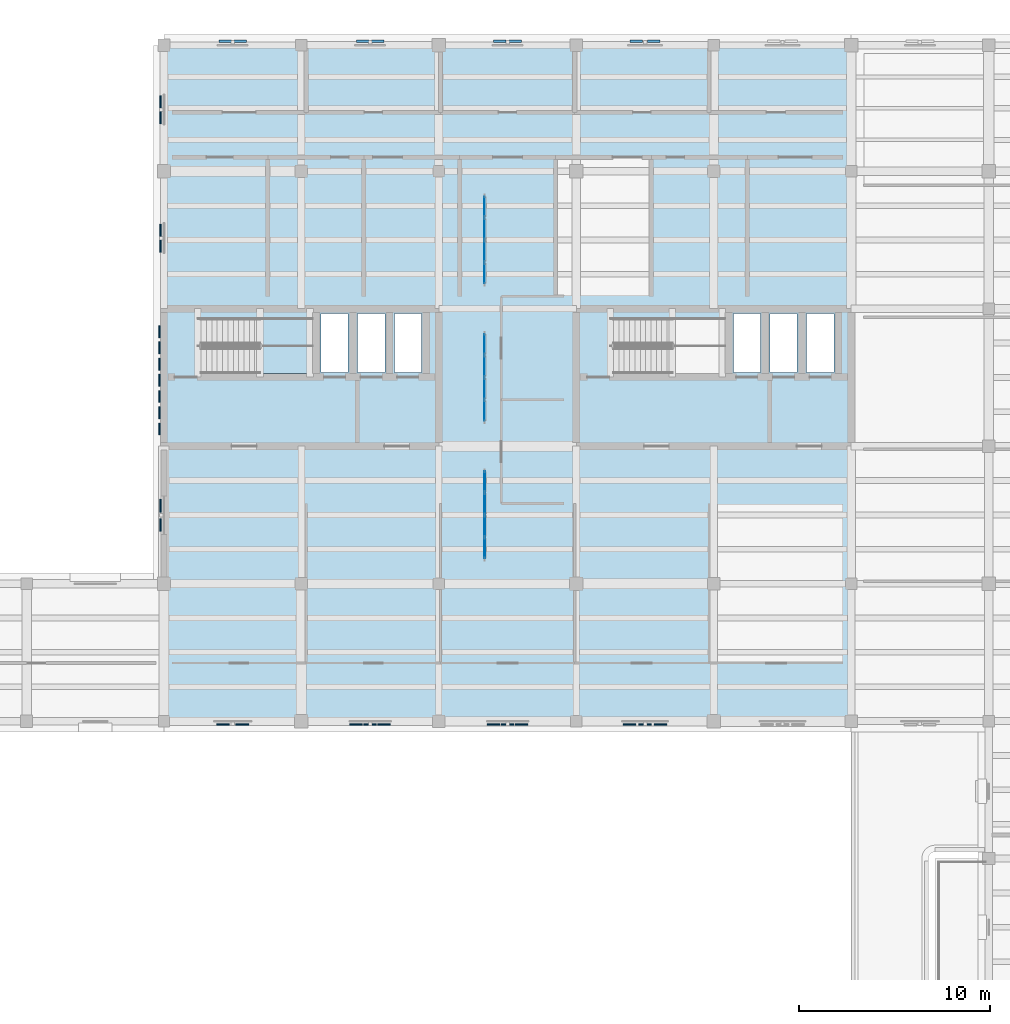
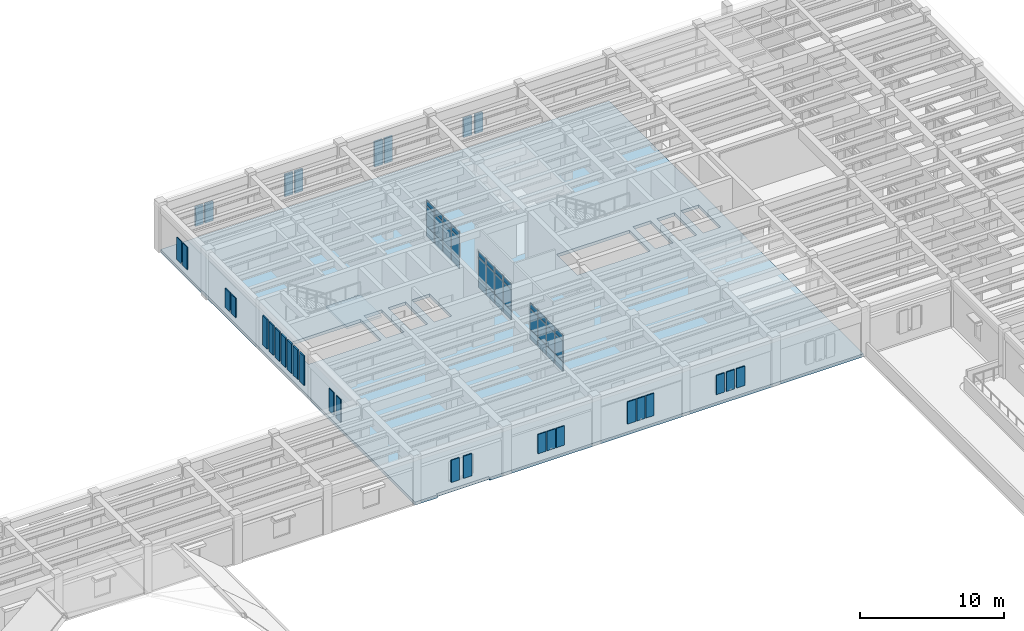
# One storey, part 15 of 40: 68 plates, 2 slabs, 4 elements without a shape of their own.
"""IFC4 building model written with IfcOpenShell, lengths in metres."""

import ifcopenshell
import ifcopenshell.guid

model = None  # the IFC model being written
_history = None  # IfcOwnerHistory: only IFC2X3 demands one
_inside = {}  # id of a spatial element -> (the spatial element, [elements in it])
_under = {}  # id of a project, library or spatial element -> (it, [spatial elements below it])
_declared = {}  # id of a project -> (the project, [libraries it declares])
_typed = {}  # id of a type object -> (the type object, [elements of that type])
_made_of = {}  # id of a material, layer set ... -> (it, [elements and type objects made of it])


def new_model(schema):
    """Start an empty IFC model of exactly this schema.

    Asked for "IFC4X3", IfcOpenShell would pick the latest addendum, in which some entities
    have other attributes; the version numbers below select the first issue.
    IFC2X3 requires an IfcOwnerHistory on every rooted entity: one is made here for all.
    """
    global model, _history
    if schema == "IFC4X3":
        model = ifcopenshell.file(schema_version=(4, 3, 0, 0))
    else:
        model = ifcopenshell.file(schema=schema)
    _inside.clear()
    _under.clear()
    _declared.clear()
    _typed.clear()
    _made_of.clear()
    _history = None
    if model.schema == "IFC2X3":
        org = make("IfcOrganization", Name="unknown")
        user = make(
            "IfcPersonAndOrganization",
            ThePerson=make("IfcPerson", FamilyName="unknown"),
            TheOrganization=org,
        )
        app = make(
            "IfcApplication",
            ApplicationDeveloper=org,
            Version="unknown",
            ApplicationFullName="unknown",
            ApplicationIdentifier="unknown",
        )
        _history = make(
            "IfcOwnerHistory",
            OwningUser=user,
            OwningApplication=app,
            ChangeAction="ADDED",
            CreationDate=0,
        )
    return model


def make(cls, **values):
    """One entity of the class cls with the attributes given. An attribute that is None is left unset."""
    return model.create_entity(
        cls, **{name: value for name, value in values.items() if value is not None}
    )


def rooted(cls, **values):
    """An entity with a GlobalId (a new one), such as an element, a storey or a relation."""
    return make(cls, GlobalId=ifcopenshell.guid.new(), OwnerHistory=_history, **values)


def si_unit(unit_type, name, prefix=None):
    """IfcSIUnit, for example si_unit("LENGTHUNIT", "METRE", prefix="MILLI")."""
    return make("IfcSIUnit", UnitType=unit_type, Prefix=prefix, Name=name)


def assignment(units):
    """IfcUnitAssignment: the units of a project."""
    return None if units is None else make("IfcUnitAssignment", Units=units)


def point(xyz):
    """IfcCartesianPoint."""
    return None if xyz is None else make("IfcCartesianPoint", Coordinates=xyz)


def direction(xyz):
    """IfcDirection."""
    return None if xyz is None else make("IfcDirection", DirectionRatios=xyz)


def frame(location, z_axis=None, x_axis=None):
    """IfcAxis2Placement3D, a coordinate frame: its origin and axes. An axis left out is left unset."""
    return make(
        "IfcAxis2Placement3D",
        Location=point(location),
        Axis=direction(z_axis),
        RefDirection=direction(x_axis),
    )


def frame_2d(location, x_axis=None):
    """IfcAxis2Placement2D, a coordinate frame in the plane: its origin and x axis."""
    return make(
        "IfcAxis2Placement2D", Location=point(location), RefDirection=direction(x_axis)
    )


def origin():
    """The frame at (0, 0, 0) with its axes left unset."""
    return frame((0.0, 0.0, 0.0))


def origin_2d():
    """The frame at (0, 0) in the plane with its x axis left unset."""
    return frame_2d((0.0, 0.0))


def place(relative_to, where):
    """IfcLocalPlacement: puts the frame where relative to a parent placement (None: the world)."""
    return make(
        "IfcLocalPlacement", PlacementRelTo=relative_to, RelativePlacement=where
    )


def context(
    kind, dimensions, precision=None, world=None, true_north=None, identifier=None
):
    """IfcGeometricRepresentationContext, for example the 3D "Model" context."""
    return make(
        "IfcGeometricRepresentationContext",
        ContextIdentifier=identifier,
        ContextType=kind,
        CoordinateSpaceDimension=dimensions,
        Precision=precision,
        WorldCoordinateSystem=world,
        TrueNorth=true_north,
    )


def subcontext(parent, identifier, kind, view, scale=None):
    """IfcGeometricRepresentationSubContext, for example "Body" below "Model"."""
    return make(
        "IfcGeometricRepresentationSubContext",
        ContextIdentifier=identifier,
        ContextType=kind,
        ParentContext=parent,
        TargetScale=scale,
        TargetView=view,
    )


def project(units=None, contexts=None):
    """IfcProject with its units and contexts."""
    return rooted(
        "IfcProject",
        Name="project",
        RepresentationContexts=contexts,
        UnitsInContext=assignment(units),
    )


def spatial(cls, under=None, at=None, **own):
    """A site, building, storey or space (cls), placed at a placement, below another one or the project."""
    s = rooted(cls, ObjectPlacement=at, **own)
    if under is not None:
        _under.setdefault(under.id(), (under, []))[1].append(s)
    return s


def polyline(points):
    """IfcPolyline through the points."""
    return make("IfcPolyline", Points=[point(p) for p in points])


def profile(cls, at=None, kind="AREA", **sizes):
    """A parametric profile (cls). Its sizes go by their IFC names, for example OverallWidth=200.0."""
    return make(cls, ProfileType=kind, Position=at, **sizes)


def rectangle(**sizes):
    """IfcRectangleProfileDef."""
    return profile("IfcRectangleProfileDef", **sizes)


def outline(outer, holes=None, kind="AREA"):
    """IfcArbitraryClosedProfileDef: a profile drawn as a closed curve; with holes, ...WithVoids."""
    if holes is None:
        return make("IfcArbitraryClosedProfileDef", ProfileType=kind, OuterCurve=outer)
    return make(
        "IfcArbitraryProfileDefWithVoids",
        ProfileType=kind,
        OuterCurve=outer,
        InnerCurves=holes,
    )


def extrude(swept, where, along, depth):
    """IfcExtrudedAreaSolid: the profile swept, set in the frame where, extruded along a direction by depth."""
    return make(
        "IfcExtrudedAreaSolid",
        SweptArea=swept,
        Position=where,
        ExtrudedDirection=direction(along),
        Depth=depth,
    )


def shape(context_of_items, identifier, shape_type, items):
    """IfcShapeRepresentation: the items that make up one representation, for example the "Body"."""
    return make(
        "IfcShapeRepresentation",
        ContextOfItems=context_of_items,
        RepresentationIdentifier=identifier,
        RepresentationType=shape_type,
        Items=items,
    )


def material(Name=None, Category=None):
    """IfcMaterial."""
    return make("IfcMaterial", Name=Name, Category=Category)


def layer(
    of_material, thickness, ventilated=None, Name=None, Category=None, Priority=None
):
    """IfcMaterialLayer: one layer of a wall or slab, of a material (None: an air gap)."""
    return make(
        "IfcMaterialLayer",
        Material=of_material,
        LayerThickness=thickness,
        IsVentilated=ventilated,
        Name=Name,
        Category=Category,
        Priority=Priority,
    )


def layer_set(layers, Name=None):
    """IfcMaterialLayerSet."""
    return make("IfcMaterialLayerSet", MaterialLayers=layers, LayerSetName=Name)


def made_of(thing, what):
    """Note that an element or type object is made of a material, layer set ...; save() writes the relation."""
    if what is not None:
        _made_of.setdefault(what.id(), (what, []))[1].append(thing)
    return thing


def type_object(cls, material=None, **own):
    """A type object (cls), such as IfcWallType, which elements share."""
    return made_of(rooted(cls, **own), material)


def element(
    cls,
    number,
    at=None,
    inside=None,
    cuts=None,
    type_object=None,
    material=None,
    context=None,
    identifier="Body",
    shape_type=None,
    held_by="IfcProductDefinitionShape",
    body=None,
    shapes=None,
    **own,
):
    """One element of the class cls, such as IfcWall. Its Tag is "e" and its number.

    at: its placement. inside: the storey or other place that contains it. cuts: it is an
    opening in that element (IfcRelVoidsElement). A single representation is given by context,
    identifier, shape_type and body (its items); several are given by shapes. held_by: the class
    of the entity that holds the representations. save() writes the other relations.
    """
    e = rooted(cls, Tag="e%d" % number, ObjectPlacement=at, **own)
    if body is not None:
        shapes = [shape(context, identifier, shape_type, body)]
    if shapes is not None:
        e.Representation = make(held_by, Representations=shapes)
    if inside is not None:
        _inside.setdefault(inside.id(), (inside, []))[1].append(e)
    if cuts is not None:
        rooted(
            "IfcRelVoidsElement", RelatingBuildingElement=cuts, RelatedOpeningElement=e
        )
    if type_object is not None:
        _typed.setdefault(type_object.id(), (type_object, []))[1].append(e)
    return made_of(e, material)


def aggregate(whole, parts):
    """IfcRelAggregates: a whole, such as a stair, and the parts it consists of."""
    return rooted("IfcRelAggregates", RelatingObject=whole, RelatedObjects=parts)


def save(model, path):
    """Write the relations noted so far, then the file.

    IfcRelAggregates (storeys below a building ...), IfcRelContainedInSpatialStructure (elements
    in a storey), IfcRelDefinesByType, IfcRelAssociatesMaterial and IfcRelDeclares: one each for
    every whole, place, type object, material and project.
    """
    for whole, parts in _under.values():
        aggregate(whole, parts)
    for where, things in _inside.values():
        rooted(
            "IfcRelContainedInSpatialStructure",
            RelatedElements=things,
            RelatingStructure=where,
        )
    for kind, things in _typed.values():
        rooted("IfcRelDefinesByType", RelatedObjects=things, RelatingType=kind)
    for what, things in _made_of.values():
        rooted("IfcRelAssociatesMaterial", RelatedObjects=things, RelatingMaterial=what)
    for by, libraries in _declared.values():
        rooted("IfcRelDeclares", RelatingContext=by, RelatedDefinitions=libraries)
    model.write(path)


model = new_model("IFC4")

# Units and contexts
model_context = context("Model", 3, precision=1e-05, world=origin(), true_north=direction((0.0, 1.0)))
body_context = subcontext(model_context, "Body", "Model", "MODEL_VIEW")
ifc_project = project(units=[si_unit("LENGTHUNIT", "METRE"), si_unit("AREAUNIT", "SQUARE_METRE"), si_unit("VOLUMEUNIT", "CUBIC_METRE"), si_unit("PLANEANGLEUNIT", "RADIAN"), si_unit("MASSUNIT", "GRAM", prefix="KILO")], contexts=[model_context])

# Site, building, storey
site_placement = place(None, origin())
site = spatial("IfcSite", under=ifc_project, at=site_placement, CompositionType="ELEMENT")
building_placement = place(site_placement, origin())
building = spatial("IfcBuilding", under=site, at=building_placement, Name="Mithqara Police Headquarters", CompositionType="ELEMENT")
storey_placement = place(building_placement, frame((0.0, 0.0, 13.800048828125)))
storey = spatial("IfcBuildingStorey", under=building, at=storey_placement, Name="L03", CompositionType="ELEMENT", Elevation=13.800048828125)

# Curtain wall, plates
ifc_material_1 = material(Name="Bronze anodised aluminium 6063-T6", Category="aluminium")
curtain_wall_type = type_object("IfcCurtainWallType", Name="CURTAIN WALL 4700X3220", PredefinedType="USERDEFINED", material=ifc_material_1)
curtain_wall_1_placement = place(storey_placement, origin())
curtain_wall_1 = element("IfcCurtainWall", 1, at=curtain_wall_1_placement, inside=storey, type_object=curtain_wall_type, Name="L03 Unitised Glazing CW-16 (CW-INT-L03-X17-Y13-0)", ObjectType="UNITISED GLAZING", PredefinedType="USERDEFINED")
ifc_material_2 = material(Name="Spectrally selective double low-e glass", Category="glass")
ifc_layer_1 = layer(ifc_material_2, 0.028076171875, Name="Spectrally selective double low-e glass")
ifc_layer_set_1 = layer_set([ifc_layer_1], Name="Spectrally selective double low-e glass")
plate_type_1 = type_object("IfcPlateType", Name="CWPANEL GLASS28", PredefinedType="CURTAIN_PANEL", material=ifc_layer_set_1)
plate_1_placement = place(storey_placement, frame((125.39990234375, 94.856201171875, 0.074951171875), z_axis=(0.0, 0.0, 1.0), x_axis=(0.0, 1.0, 0.0)))
plate_1 = element("IfcPlate", 2, at=plate_1_placement, type_object=plate_type_1, Name="CW-16 panel 1.1", PredefinedType="CURTAIN_PANEL", context=body_context, shape_type="SweptSolid", body=[
    extrude(rectangle(XDim=1.0625, YDim=0.028076171875, at=origin_2d()), origin(), (0.0, 0.0, 1.0), 0.78759765625),
])
plate_2_placement = place(storey_placement, frame((125.39990234375, 94.856201171875, 0.9375), z_axis=(0.0, 0.0, 1.0), x_axis=(0.0, 1.0, 0.0)))
plate_2 = element("IfcPlate", 3, at=plate_2_placement, type_object=plate_type_1, Name="CW-16 panel 1.2", PredefinedType="CURTAIN_PANEL", context=body_context, shape_type="SweptSolid", body=[
    extrude(rectangle(XDim=1.0625, YDim=0.028076171875, at=origin_2d()), origin(), (0.0, 0.0, 1.0), 1.695068359375),
])
plate_3_placement = place(storey_placement, frame((125.39990234375, 94.856201171875, 2.70751953125), z_axis=(0.0, 0.0, 1.0), x_axis=(0.0, 1.0, 0.0)))
plate_3 = element("IfcPlate", 4, at=plate_3_placement, type_object=plate_type_1, Name="CW-16 panel 1.3", PredefinedType="CURTAIN_PANEL", context=body_context, shape_type="SweptSolid", body=[
    extrude(rectangle(XDim=1.0625, YDim=0.028076171875, at=origin_2d()), origin(), (0.0, 0.0, 1.0), 0.4375),
])
plate_4_placement = place(storey_placement, frame((125.39990234375, 96.012451171875, 0.074951171875), z_axis=(0.0, 0.0, 1.0), x_axis=(0.0, 1.0, 0.0)))
plate_4 = element("IfcPlate", 5, at=plate_4_placement, type_object=plate_type_1, Name="CW-16 panel 2.1", PredefinedType="CURTAIN_PANEL", context=body_context, shape_type="SweptSolid", body=[
    extrude(rectangle(XDim=1.10009765625, YDim=0.028076171875, at=origin_2d()), origin(), (0.0, 0.0, 1.0), 0.78759765625),
])
plate_5_placement = place(storey_placement, frame((125.39990234375, 96.012451171875, 0.9375), z_axis=(0.0, 0.0, 1.0), x_axis=(0.0, 1.0, 0.0)))
plate_5 = element("IfcPlate", 6, at=plate_5_placement, type_object=plate_type_1, Name="CW-16 panel 2.2", PredefinedType="CURTAIN_PANEL", context=body_context, shape_type="SweptSolid", body=[
    extrude(rectangle(XDim=1.10009765625, YDim=0.028076171875, at=origin_2d()), origin(), (0.0, 0.0, 1.0), 1.695068359375),
])
plate_6_placement = place(storey_placement, frame((125.39990234375, 96.012451171875, 2.70751953125), z_axis=(0.0, 0.0, 1.0), x_axis=(0.0, 1.0, 0.0)))
plate_6 = element("IfcPlate", 7, at=plate_6_placement, type_object=plate_type_1, Name="CW-16 panel 2.3", PredefinedType="CURTAIN_PANEL", context=body_context, shape_type="SweptSolid", body=[
    extrude(rectangle(XDim=1.10009765625, YDim=0.028076171875, at=origin_2d()), origin(), (0.0, 0.0, 1.0), 0.4375),
])
plate_7_placement = place(storey_placement, frame((125.39990234375, 97.1875, 0.074951171875), z_axis=(0.0, 0.0, 1.0), x_axis=(0.0, 1.0, 0.0)))
plate_7 = element("IfcPlate", 8, at=plate_7_placement, type_object=plate_type_1, Name="CW-16 panel 3.1", PredefinedType="CURTAIN_PANEL", context=body_context, shape_type="SweptSolid", body=[
    extrude(rectangle(XDim=1.10009765625, YDim=0.028076171875, at=origin_2d()), origin(), (0.0, 0.0, 1.0), 0.78759765625),
])
plate_8_placement = place(storey_placement, frame((125.39990234375, 97.1875, 0.9375), z_axis=(0.0, 0.0, 1.0), x_axis=(0.0, 1.0, 0.0)))
plate_8 = element("IfcPlate", 9, at=plate_8_placement, type_object=plate_type_1, Name="CW-16 panel 3.2", PredefinedType="CURTAIN_PANEL", context=body_context, shape_type="SweptSolid", body=[
    extrude(rectangle(XDim=1.10009765625, YDim=0.028076171875, at=origin_2d()), origin(), (0.0, 0.0, 1.0), 1.695068359375),
])
plate_9_placement = place(storey_placement, frame((125.39990234375, 97.1875, 2.70751953125), z_axis=(0.0, 0.0, 1.0), x_axis=(0.0, 1.0, 0.0)))
plate_9 = element("IfcPlate", 10, at=plate_9_placement, type_object=plate_type_1, Name="CW-16 panel 3.3", PredefinedType="CURTAIN_PANEL", context=body_context, shape_type="SweptSolid", body=[
    extrude(rectangle(XDim=1.10009765625, YDim=0.028076171875, at=origin_2d()), origin(), (0.0, 0.0, 1.0), 0.4375),
])
plate_10_placement = place(storey_placement, frame((125.39990234375, 98.34375, 0.074951171875), z_axis=(0.0, 0.0, 1.0), x_axis=(0.0, 1.0, 0.0)))
plate_10 = element("IfcPlate", 11, at=plate_10_placement, type_object=plate_type_1, Name="CW-16 panel 4.1", PredefinedType="CURTAIN_PANEL", context=body_context, shape_type="SweptSolid", body=[
    extrude(rectangle(XDim=1.0625, YDim=0.028076171875, at=origin_2d()), origin(), (0.0, 0.0, 1.0), 0.78759765625),
])
plate_11_placement = place(storey_placement, frame((125.39990234375, 98.34375, 0.9375), z_axis=(0.0, 0.0, 1.0), x_axis=(0.0, 1.0, 0.0)))
plate_11 = element("IfcPlate", 12, at=plate_11_placement, type_object=plate_type_1, Name="CW-16 panel 4.2", PredefinedType="CURTAIN_PANEL", context=body_context, shape_type="SweptSolid", body=[
    extrude(rectangle(XDim=1.0625, YDim=0.028076171875, at=origin_2d()), origin(), (0.0, 0.0, 1.0), 1.695068359375),
])
plate_12_placement = place(storey_placement, frame((125.39990234375, 98.34375, 2.70751953125), z_axis=(0.0, 0.0, 1.0), x_axis=(0.0, 1.0, 0.0)))
plate_12 = element("IfcPlate", 13, at=plate_12_placement, type_object=plate_type_1, Name="CW-16 panel 4.3", PredefinedType="CURTAIN_PANEL", context=body_context, shape_type="SweptSolid", body=[
    extrude(rectangle(XDim=1.0625, YDim=0.028076171875, at=origin_2d()), origin(), (0.0, 0.0, 1.0), 0.4375),
])
aggregate(curtain_wall_1, [plate_1, plate_2, plate_3, plate_4, plate_5, plate_6, plate_7, plate_8, plate_9, plate_10, plate_11, plate_12])

curtain_wall_2_placement = place(storey_placement, origin())
curtain_wall_2 = element("IfcCurtainWall", 14, at=curtain_wall_2_placement, inside=storey, type_object=curtain_wall_type, Name="L03 Unitised Glazing CW-16 (CW-INT-L03-X17-Y14-0)", ObjectType="UNITISED GLAZING", PredefinedType="USERDEFINED")
plate_13_placement = place(storey_placement, frame((125.39990234375, 102.05615234375, 0.074951171875), z_axis=(0.0, 0.0, 1.0), x_axis=(0.0, 1.0, 0.0)))
plate_13 = element("IfcPlate", 15, at=plate_13_placement, type_object=plate_type_1, Name="CW-16 panel 1.1", PredefinedType="CURTAIN_PANEL", context=body_context, shape_type="SweptSolid", body=[
    extrude(rectangle(XDim=1.0625, YDim=0.028076171875, at=origin_2d()), origin(), (0.0, 0.0, 1.0), 0.78759765625),
])
plate_14_placement = place(storey_placement, frame((125.39990234375, 102.05615234375, 0.9375), z_axis=(0.0, 0.0, 1.0), x_axis=(0.0, 1.0, 0.0)))
plate_14 = element("IfcPlate", 16, at=plate_14_placement, type_object=plate_type_1, Name="CW-16 panel 1.2", PredefinedType="CURTAIN_PANEL", context=body_context, shape_type="SweptSolid", body=[
    extrude(rectangle(XDim=1.0625, YDim=0.028076171875, at=origin_2d()), origin(), (0.0, 0.0, 1.0), 1.695068359375),
])
plate_15_placement = place(storey_placement, frame((125.39990234375, 102.05615234375, 2.70751953125), z_axis=(0.0, 0.0, 1.0), x_axis=(0.0, 1.0, 0.0)))
plate_15 = element("IfcPlate", 17, at=plate_15_placement, type_object=plate_type_1, Name="CW-16 panel 1.3", PredefinedType="CURTAIN_PANEL", context=body_context, shape_type="SweptSolid", body=[
    extrude(rectangle(XDim=1.0625, YDim=0.028076171875, at=origin_2d()), origin(), (0.0, 0.0, 1.0), 0.4375),
])
plate_16_placement = place(storey_placement, frame((125.39990234375, 103.21240234375, 0.074951171875), z_axis=(0.0, 0.0, 1.0), x_axis=(0.0, 1.0, 0.0)))
plate_16 = element("IfcPlate", 18, at=plate_16_placement, type_object=plate_type_1, Name="CW-16 panel 2.1", PredefinedType="CURTAIN_PANEL", context=body_context, shape_type="SweptSolid", body=[
    extrude(rectangle(XDim=1.10009765625, YDim=0.028076171875, at=origin_2d()), origin(), (0.0, 0.0, 1.0), 0.78759765625),
])
plate_17_placement = place(storey_placement, frame((125.39990234375, 103.21240234375, 0.9375), z_axis=(0.0, 0.0, 1.0), x_axis=(0.0, 1.0, 0.0)))
plate_17 = element("IfcPlate", 19, at=plate_17_placement, type_object=plate_type_1, Name="CW-16 panel 2.2", PredefinedType="CURTAIN_PANEL", context=body_context, shape_type="SweptSolid", body=[
    extrude(rectangle(XDim=1.10009765625, YDim=0.028076171875, at=origin_2d()), origin(), (0.0, 0.0, 1.0), 1.695068359375),
])
plate_18_placement = place(storey_placement, frame((125.39990234375, 103.21240234375, 2.70751953125), z_axis=(0.0, 0.0, 1.0), x_axis=(0.0, 1.0, 0.0)))
plate_18 = element("IfcPlate", 20, at=plate_18_placement, type_object=plate_type_1, Name="CW-16 panel 2.3", PredefinedType="CURTAIN_PANEL", context=body_context, shape_type="SweptSolid", body=[
    extrude(rectangle(XDim=1.10009765625, YDim=0.028076171875, at=origin_2d()), origin(), (0.0, 0.0, 1.0), 0.4375),
])
plate_19_placement = place(storey_placement, frame((125.39990234375, 104.387451171875, 0.074951171875), z_axis=(0.0, 0.0, 1.0), x_axis=(0.0, 1.0, 0.0)))
plate_19 = element("IfcPlate", 21, at=plate_19_placement, type_object=plate_type_1, Name="CW-16 panel 3.1", PredefinedType="CURTAIN_PANEL", context=body_context, shape_type="SweptSolid", body=[
    extrude(rectangle(XDim=1.10009765625, YDim=0.028076171875, at=origin_2d()), origin(), (0.0, 0.0, 1.0), 0.78759765625),
])
plate_20_placement = place(storey_placement, frame((125.39990234375, 104.387451171875, 0.9375), z_axis=(0.0, 0.0, 1.0), x_axis=(0.0, 1.0, 0.0)))
plate_20 = element("IfcPlate", 22, at=plate_20_placement, type_object=plate_type_1, Name="CW-16 panel 3.2", PredefinedType="CURTAIN_PANEL", context=body_context, shape_type="SweptSolid", body=[
    extrude(rectangle(XDim=1.10009765625, YDim=0.028076171875, at=origin_2d()), origin(), (0.0, 0.0, 1.0), 1.695068359375),
])
plate_21_placement = place(storey_placement, frame((125.39990234375, 104.387451171875, 2.70751953125), z_axis=(0.0, 0.0, 1.0), x_axis=(0.0, 1.0, 0.0)))
plate_21 = element("IfcPlate", 23, at=plate_21_placement, type_object=plate_type_1, Name="CW-16 panel 3.3", PredefinedType="CURTAIN_PANEL", context=body_context, shape_type="SweptSolid", body=[
    extrude(rectangle(XDim=1.10009765625, YDim=0.028076171875, at=origin_2d()), origin(), (0.0, 0.0, 1.0), 0.4375),
])
plate_22_placement = place(storey_placement, frame((125.39990234375, 105.543701171875, 0.074951171875), z_axis=(0.0, 0.0, 1.0), x_axis=(0.0, 1.0, 0.0)))
plate_22 = element("IfcPlate", 24, at=plate_22_placement, type_object=plate_type_1, Name="CW-16 panel 4.1", PredefinedType="CURTAIN_PANEL", context=body_context, shape_type="SweptSolid", body=[
    extrude(rectangle(XDim=1.0625, YDim=0.028076171875, at=origin_2d()), origin(), (0.0, 0.0, 1.0), 0.78759765625),
])
plate_23_placement = place(storey_placement, frame((125.39990234375, 105.543701171875, 0.9375), z_axis=(0.0, 0.0, 1.0), x_axis=(0.0, 1.0, 0.0)))
plate_23 = element("IfcPlate", 25, at=plate_23_placement, type_object=plate_type_1, Name="CW-16 panel 4.2", PredefinedType="CURTAIN_PANEL", context=body_context, shape_type="SweptSolid", body=[
    extrude(rectangle(XDim=1.0625, YDim=0.028076171875, at=origin_2d()), origin(), (0.0, 0.0, 1.0), 1.695068359375),
])
plate_24_placement = place(storey_placement, frame((125.39990234375, 105.543701171875, 2.70751953125), z_axis=(0.0, 0.0, 1.0), x_axis=(0.0, 1.0, 0.0)))
plate_24 = element("IfcPlate", 26, at=plate_24_placement, type_object=plate_type_1, Name="CW-16 panel 4.3", PredefinedType="CURTAIN_PANEL", context=body_context, shape_type="SweptSolid", body=[
    extrude(rectangle(XDim=1.0625, YDim=0.028076171875, at=origin_2d()), origin(), (0.0, 0.0, 1.0), 0.4375),
])
aggregate(curtain_wall_2, [plate_13, plate_14, plate_15, plate_16, plate_17, plate_18, plate_19, plate_20, plate_21, plate_22, plate_23, plate_24])

curtain_wall_3_placement = place(storey_placement, origin())
curtain_wall_3 = element("IfcCurtainWall", 27, at=curtain_wall_3_placement, inside=storey, type_object=curtain_wall_type, Name="L03 Unitised Glazing CW-16 (CW-INT-L03-X17-Y12-0)", ObjectType="UNITISED GLAZING", PredefinedType="USERDEFINED")
ifc_material_3 = material(Name="Insulated bronze aluminium spandrel panel", Category="aluminium")
ifc_layer_2 = layer(ifc_material_3, 0.048095703125, Name="Insulated bronze aluminium spandrel panel")
ifc_layer_set_2 = layer_set([ifc_layer_2], Name="Insulated bronze aluminium spandrel panel")
plate_type_2 = type_object("IfcPlateType", Name="CWPANEL SPANDREL48", PredefinedType="CURTAIN_PANEL", material=ifc_layer_set_2)
plate_25_placement = place(storey_placement, frame((125.39990234375, 87.65625, 0.074951171875), z_axis=(0.0, 0.0, 1.0), x_axis=(0.0, 1.0, 0.0)))
plate_25 = element("IfcPlate", 28, at=plate_25_placement, type_object=plate_type_2, Name="CW-16 panel 1.1", PredefinedType="CURTAIN_PANEL", context=body_context, shape_type="SweptSolid", body=[
    extrude(rectangle(XDim=1.0625, YDim=0.048095703125, at=origin_2d()), origin(), (0.0, 0.0, 1.0), 0.78759765625),
])
plate_26_placement = place(storey_placement, frame((125.39990234375, 87.65625, 0.9375), z_axis=(0.0, 0.0, 1.0), x_axis=(0.0, 1.0, 0.0)))
plate_26 = element("IfcPlate", 29, at=plate_26_placement, type_object=plate_type_2, Name="CW-16 panel 1.2", PredefinedType="CURTAIN_PANEL", context=body_context, shape_type="SweptSolid", body=[
    extrude(rectangle(XDim=1.0625, YDim=0.048095703125, at=origin_2d()), origin(), (0.0, 0.0, 1.0), 1.695068359375),
])
plate_27_placement = place(storey_placement, frame((125.39990234375, 87.65625, 2.70751953125), z_axis=(0.0, 0.0, 1.0), x_axis=(0.0, 1.0, 0.0)))
plate_27 = element("IfcPlate", 30, at=plate_27_placement, type_object=plate_type_2, Name="CW-16 panel 1.3", PredefinedType="CURTAIN_PANEL", context=body_context, shape_type="SweptSolid", body=[
    extrude(rectangle(XDim=1.0625, YDim=0.048095703125, at=origin_2d()), origin(), (0.0, 0.0, 1.0), 0.4375),
])
plate_28_placement = place(storey_placement, frame((125.39990234375, 88.8125, 0.074951171875), z_axis=(0.0, 0.0, 1.0), x_axis=(0.0, 1.0, 0.0)))
plate_28 = element("IfcPlate", 31, at=plate_28_placement, type_object=plate_type_2, Name="CW-16 panel 2.1", PredefinedType="CURTAIN_PANEL", context=body_context, shape_type="SweptSolid", body=[
    extrude(rectangle(XDim=1.10009765625, YDim=0.048095703125, at=origin_2d()), origin(), (0.0, 0.0, 1.0), 0.78759765625),
])
plate_29_placement = place(storey_placement, frame((125.39990234375, 88.8125, 0.9375), z_axis=(0.0, 0.0, 1.0), x_axis=(0.0, 1.0, 0.0)))
plate_29 = element("IfcPlate", 32, at=plate_29_placement, type_object=plate_type_2, Name="CW-16 panel 2.2", PredefinedType="CURTAIN_PANEL", context=body_context, shape_type="SweptSolid", body=[
    extrude(rectangle(XDim=1.10009765625, YDim=0.048095703125, at=origin_2d()), origin(), (0.0, 0.0, 1.0), 1.695068359375),
])
plate_30_placement = place(storey_placement, frame((125.39990234375, 88.8125, 2.70751953125), z_axis=(0.0, 0.0, 1.0), x_axis=(0.0, 1.0, 0.0)))
plate_30 = element("IfcPlate", 33, at=plate_30_placement, type_object=plate_type_2, Name="CW-16 panel 2.3", PredefinedType="CURTAIN_PANEL", context=body_context, shape_type="SweptSolid", body=[
    extrude(rectangle(XDim=1.10009765625, YDim=0.048095703125, at=origin_2d()), origin(), (0.0, 0.0, 1.0), 0.4375),
])
plate_31_placement = place(storey_placement, frame((125.39990234375, 89.987548828125, 0.074951171875), z_axis=(0.0, 0.0, 1.0), x_axis=(0.0, 1.0, 0.0)))
plate_31 = element("IfcPlate", 34, at=plate_31_placement, type_object=plate_type_2, Name="CW-16 panel 3.1", PredefinedType="CURTAIN_PANEL", context=body_context, shape_type="SweptSolid", body=[
    extrude(rectangle(XDim=1.10009765625, YDim=0.048095703125, at=origin_2d()), origin(), (0.0, 0.0, 1.0), 0.78759765625),
])
plate_32_placement = place(storey_placement, frame((125.39990234375, 89.987548828125, 0.9375), z_axis=(0.0, 0.0, 1.0), x_axis=(0.0, 1.0, 0.0)))
plate_32 = element("IfcPlate", 35, at=plate_32_placement, type_object=plate_type_2, Name="CW-16 panel 3.2", PredefinedType="CURTAIN_PANEL", context=body_context, shape_type="SweptSolid", body=[
    extrude(rectangle(XDim=1.10009765625, YDim=0.048095703125, at=origin_2d()), origin(), (0.0, 0.0, 1.0), 1.695068359375),
])
plate_33_placement = place(storey_placement, frame((125.39990234375, 89.987548828125, 2.70751953125), z_axis=(0.0, 0.0, 1.0), x_axis=(0.0, 1.0, 0.0)))
plate_33 = element("IfcPlate", 36, at=plate_33_placement, type_object=plate_type_2, Name="CW-16 panel 3.3", PredefinedType="CURTAIN_PANEL", context=body_context, shape_type="SweptSolid", body=[
    extrude(rectangle(XDim=1.10009765625, YDim=0.048095703125, at=origin_2d()), origin(), (0.0, 0.0, 1.0), 0.4375),
])
plate_34_placement = place(storey_placement, frame((125.39990234375, 91.143798828125, 0.074951171875), z_axis=(0.0, 0.0, 1.0), x_axis=(0.0, 1.0, 0.0)))
plate_34 = element("IfcPlate", 37, at=plate_34_placement, type_object=plate_type_2, Name="CW-16 panel 4.1", PredefinedType="CURTAIN_PANEL", context=body_context, shape_type="SweptSolid", body=[
    extrude(rectangle(XDim=1.0625, YDim=0.048095703125, at=origin_2d()), origin(), (0.0, 0.0, 1.0), 0.78759765625),
])
plate_35_placement = place(storey_placement, frame((125.39990234375, 91.143798828125, 0.9375), z_axis=(0.0, 0.0, 1.0), x_axis=(0.0, 1.0, 0.0)))
plate_35 = element("IfcPlate", 38, at=plate_35_placement, type_object=plate_type_2, Name="CW-16 panel 4.2", PredefinedType="CURTAIN_PANEL", context=body_context, shape_type="SweptSolid", body=[
    extrude(rectangle(XDim=1.0625, YDim=0.048095703125, at=origin_2d()), origin(), (0.0, 0.0, 1.0), 1.695068359375),
])
plate_36_placement = place(storey_placement, frame((125.39990234375, 91.143798828125, 2.70751953125), z_axis=(0.0, 0.0, 1.0), x_axis=(0.0, 1.0, 0.0)))
plate_36 = element("IfcPlate", 39, at=plate_36_placement, type_object=plate_type_2, Name="CW-16 panel 4.3", PredefinedType="CURTAIN_PANEL", context=body_context, shape_type="SweptSolid", body=[
    extrude(rectangle(XDim=1.0625, YDim=0.048095703125, at=origin_2d()), origin(), (0.0, 0.0, 1.0), 0.4375),
])
aggregate(curtain_wall_3, [plate_25, plate_26, plate_27, plate_28, plate_29, plate_30, plate_31, plate_32, plate_33, plate_34, plate_35, plate_36])

# Slab
ifc_material_4 = material(Name="Concrete C40/50", Category="concrete")
ifc_layer_3 = layer(ifc_material_4, 0.260009765625, Name="Concrete C40/50")
ifc_layer_set_3 = layer_set([ifc_layer_3], Name="Concrete C40/50")
slab_type_1 = type_object("IfcSlabType", Name="FLOOR SLAB 260", PredefinedType="FLOOR", material=ifc_layer_set_3)
slab_1_placement = place(storey_placement, frame((0.0, 0.0, -0.260009765625)))
element("IfcSlab", 40, at=slab_1_placement, inside=storey, type_object=slab_type_1, Name="L03 Structural Slab L03-V1A", PredefinedType="FLOOR", context=body_context, shape_type="SweptSolid", body=[
    extrude(outline(polyline([(108.60009765625, 114.0), (144.60009765625, 114.0), (144.60009765625, 78.60009765625), (114.60009765625, 78.60009765625), (114.60009765625, 78.739990234375), (110.39990234375, 78.739990234375), (110.39990234375, 78.60009765625), (108.60009765625, 78.60009765625), (108.60009765625, 114.0)]), holes=[polyline([(110.550048828125, 96.800048828125), (116.39990234375, 96.800048828125), (116.39990234375, 99.699951171875), (110.550048828125, 99.699951171875), (110.550048828125, 96.800048828125)]), polyline([(132.14990234375, 96.800048828125), (138.0, 96.800048828125), (138.0, 99.699951171875), (132.14990234375, 99.699951171875), (132.14990234375, 96.800048828125)]), polyline([(118.25, 96.8701171875), (118.25, 99.949951171875), (116.830078125, 99.949951171875), (116.830078125, 96.8701171875), (118.25, 96.8701171875)]), polyline([(120.169921875, 96.8701171875), (120.169921875, 99.949951171875), (118.75, 99.949951171875), (118.75, 96.8701171875), (120.169921875, 96.8701171875)]), polyline([(122.090087890625, 96.8701171875), (122.090087890625, 99.949951171875), (120.669921875, 99.949951171875), (120.669921875, 96.8701171875), (122.090087890625, 96.8701171875)]), polyline([(139.85009765625, 96.8701171875), (139.85009765625, 99.949951171875), (138.429931640625, 99.949951171875), (138.429931640625, 96.8701171875), (139.85009765625, 96.8701171875)]), polyline([(141.77001953125, 96.8701171875), (141.77001953125, 99.949951171875), (140.35009765625, 99.949951171875), (140.35009765625, 96.8701171875), (141.77001953125, 96.8701171875)]), polyline([(143.68994140625, 96.8701171875), (143.68994140625, 99.949951171875), (142.27001953125, 99.949951171875), (142.27001953125, 96.8701171875), (143.68994140625, 96.8701171875)])]), origin(), (0.0, 0.0, 1.0), 0.260009765625),
])

# Stair, slab
stair_type = type_object("IfcStairType", Name="STAIR ST 01-R24", PredefinedType="HALF_TURN_STAIR", material=ifc_material_4)
stair_placement = place(storey_placement, origin())
stair = element("IfcStair", 41, at=stair_placement, inside=storey, type_object=stair_type, Name="L03 Core C1 Command West Exit Stair", PredefinedType="HALF_TURN_STAIR")
ifc_layer_4 = layer(ifc_material_4, 0.199951171875, Name="Concrete C40/50")
ifc_layer_set_4 = layer_set([ifc_layer_4], Name="Concrete C40/50")
slab_type_2 = type_object("IfcSlabType", Name="STAIR LANDING 200", PredefinedType="LANDING", material=ifc_layer_set_4)
slab_2_placement = place(storey_placement, frame((0.0, 0.0, 1.89990234375)))
slab_2 = element("IfcSlab", 42, at=slab_2_placement, type_object=slab_type_2, Name="ST-01 landing 1", PredefinedType="LANDING", context=body_context, shape_type="SweptSolid", body=[
    extrude(outline(polyline([(113.6298828125, 96.800048828125), (116.39990234375, 96.800048828125), (116.39990234375, 99.699951171875), (113.6298828125, 99.699951171875), (113.6298828125, 96.800048828125)])), origin(), (0.0, 0.0, 1.0), 0.199951171875),
])
aggregate(stair, [slab_2])

# Plates
ifc_material_5 = material(Name="Limestone ashlar masonry, 45 MPa", Category="masonry")
ifc_layer_5 = layer(ifc_material_5, 0.10009765625, Name="Limestone ashlar masonry, 45 MPa")
ifc_layer_set_5 = layer_set([ifc_layer_5], Name="Limestone ashlar masonry, 45 MPa")
plate_type_3 = type_object("IfcPlateType", Name="STONE SCREEN 100", PredefinedType="USERDEFINED", material=ifc_layer_set_5)
for number, where, z_axis, x_axis, name in (
    (43, (108.364990234375, 93.89990234375, 0.89990234375), (0.0, 0.0, 1.0), (0.0, 1.0, 0.0), "L03 Core C1 Pierced Vertical-Slit Screen 1"),
    (44, (108.364990234375, 94.75, 0.89990234375), (0.0, 0.0, 1.0), (0.0, 1.0, 0.0), "L03 Core C1 Pierced Vertical-Slit Screen 2"),
    (45, (108.364990234375, 95.60009765625, 0.89990234375), (0.0, 0.0, 1.0), (0.0, 1.0, 0.0), "L03 Core C1 Pierced Vertical-Slit Screen 3"),
    (46, (108.364990234375, 96.449951171875, 0.89990234375), (0.0, 0.0, 1.0), (0.0, 1.0, 0.0), "L03 Core C1 Pierced Vertical-Slit Screen 4"),
    (47, (108.364990234375, 97.300048828125, 0.89990234375), (0.0, 0.0, 1.0), (0.0, 1.0, 0.0), "L03 Core C1 Pierced Vertical-Slit Screen 5"),
    (48, (108.364990234375, 98.14990234375, 0.89990234375), (0.0, 0.0, 1.0), (0.0, 1.0, 0.0), "L03 Core C1 Pierced Vertical-Slit Screen 6"),
    (49, (108.364990234375, 99.0, 0.89990234375), (0.0, 0.0, 1.0), (0.0, 1.0, 0.0), "L03 Core C1 Pierced Vertical-Slit Screen 7"),
):
    element("IfcPlate", number, at=place(storey_placement, frame(where, z_axis=z_axis, x_axis=x_axis)), inside=storey, type_object=plate_type_3, Name=name, ObjectType="STONE SCREEN", PredefinedType="USERDEFINED", context=body_context, shape_type="SweptSolid", body=[
        extrude(rectangle(XDim=0.6201171875, YDim=0.10009765625, at=origin_2d()), origin(), (0.0, 0.0, 1.0), 2.5),
    ])
ifc_layer_6 = layer(ifc_material_5, 0.139892578125, Name="Limestone ashlar masonry, 45 MPa")
ifc_layer_set_6 = layer_set([ifc_layer_6], Name="Limestone ashlar masonry, 45 MPa")
plate_type_4 = type_object("IfcPlateType", Name="STONE SCREEN 140", PredefinedType="USERDEFINED", material=ifc_layer_set_6)
for number, where, z_axis, x_axis, name in (
    (50, (112.60009765625, 114.219970703125, 0.830078125), (0.0, 0.0, 1.0), (1.0, 0.0, 0.0), "L03 Pierced Limestone Vertical-Slit Panel 145"),
    (51, (111.800048828125, 114.219970703125, 0.830078125), (0.0, 0.0, 1.0), (1.0, 0.0, 0.0), "L03 Pierced Limestone Vertical-Slit Panel 146"),
):
    element("IfcPlate", number, at=place(storey_placement, frame(where, z_axis=z_axis, x_axis=x_axis)), inside=storey, type_object=plate_type_4, Name=name, ObjectType="STONE SCREEN", PredefinedType="USERDEFINED", context=body_context, shape_type="SweptSolid", body=[
        extrude(rectangle(XDim=0.656005859375, YDim=0.139892578125, at=origin_2d()), origin(), (0.0, 0.0, 1.0), 1.639892578125),
    ])
for number, where, z_axis, x_axis, name in (
    (52, (119.800048828125, 114.219970703125, 0.830078125), (0.0, 0.0, 1.0), (1.0, 0.0, 0.0), "L03 Pierced Limestone Vertical-Slit Panel 147"),
    (53, (119.0, 114.219970703125, 0.830078125), (0.0, 0.0, 1.0), (1.0, 0.0, 0.0), "L03 Pierced Limestone Vertical-Slit Panel 148"),
):
    element("IfcPlate", number, at=place(storey_placement, frame(where, z_axis=z_axis, x_axis=x_axis)), inside=storey, type_object=plate_type_4, Name=name, ObjectType="STONE SCREEN", PredefinedType="USERDEFINED", context=body_context, shape_type="SweptSolid", body=[
        extrude(rectangle(XDim=0.656005859375, YDim=0.139892578125, at=origin_2d()), origin(), (0.0, 0.0, 1.0), 1.889892578125),
    ])
for number, where, z_axis, x_axis, name in (
    (54, (127.0, 114.219970703125, 0.830078125), (0.0, 0.0, 1.0), (1.0, 0.0, 0.0), "L03 Pierced Limestone Vertical-Slit Panel 149"),
    (55, (126.199951171875, 114.219970703125, 0.830078125), (0.0, 0.0, 1.0), (1.0, 0.0, 0.0), "L03 Pierced Limestone Vertical-Slit Panel 150"),
):
    element("IfcPlate", number, at=place(storey_placement, frame(where, z_axis=z_axis, x_axis=x_axis)), inside=storey, type_object=plate_type_4, Name=name, ObjectType="STONE SCREEN", PredefinedType="USERDEFINED", context=body_context, shape_type="SweptSolid", body=[
        extrude(rectangle(XDim=0.656005859375, YDim=0.139892578125, at=origin_2d()), origin(), (0.0, 0.0, 1.0), 2.139892578125),
    ])
for number, where, z_axis, x_axis, name in (
    (56, (134.25, 114.219970703125, 0.830078125), (0.0, 0.0, 1.0), (1.0, 0.0, 0.0), "L03 Pierced Limestone Vertical-Slit Panel 151"),
    (57, (133.35009765625, 114.219970703125, 0.830078125), (0.0, 0.0, 1.0), (1.0, 0.0, 0.0), "L03 Pierced Limestone Vertical-Slit Panel 152"),
):
    element("IfcPlate", number, at=place(storey_placement, frame(where, z_axis=z_axis, x_axis=x_axis)), inside=storey, type_object=plate_type_4, Name=name, ObjectType="STONE SCREEN", PredefinedType="USERDEFINED", context=body_context, shape_type="SweptSolid", body=[
        extrude(rectangle(XDim=0.656005859375, YDim=0.139892578125, at=origin_2d()), origin(), (0.0, 0.0, 1.0), 1.639892578125),
    ])
ifc_layer_7 = layer(ifc_material_5, 0.080078125, Name="Limestone ashlar masonry, 45 MPa")
ifc_layer_set_7 = layer_set([ifc_layer_7], Name="Limestone ashlar masonry, 45 MPa")
plate_type_5 = type_object("IfcPlateType", Name="STONE SCREEN 80", PredefinedType="USERDEFINED", material=ifc_layer_set_7)
for number, where, z_axis, x_axis, name in (
    (58, (111.699951171875, 78.409912109375, 0.830078125), (0.0, 0.0, 1.0), (1.0, 0.0, 0.0), "L03 Pierced Limestone Vertical-Slit Panel 113"),
    (59, (112.699951171875, 78.409912109375, 0.830078125), (0.0, 0.0, 1.0), (1.0, 0.0, 0.0), "L03 Pierced Limestone Vertical-Slit Panel 114"),
):
    element("IfcPlate", number, at=place(storey_placement, frame(where, z_axis=z_axis, x_axis=x_axis)), inside=storey, type_object=plate_type_5, Name=name, ObjectType="STONE SCREEN", PredefinedType="USERDEFINED", context=body_context, shape_type="SweptSolid", body=[
        extrude(rectangle(XDim=0.656005859375, YDim=0.080078125, at=origin_2d()), origin(), (0.0, 0.0, 1.0), 1.889892578125),
    ])
for number, where, z_axis, x_axis, name in (
    (60, (118.666748046875, 78.409912109375, 0.830078125), (0.0, 0.0, 1.0), (1.0, 0.0, 0.0), "L03 Pierced Limestone Vertical-Slit Panel 115"),
    (61, (119.39990234375, 78.409912109375, 0.830078125), (0.0, 0.0, 1.0), (1.0, 0.0, 0.0), "L03 Pierced Limestone Vertical-Slit Panel 116"),
    (62, (120.13330078125, 78.409912109375, 0.830078125), (0.0, 0.0, 1.0), (1.0, 0.0, 0.0), "L03 Pierced Limestone Vertical-Slit Panel 117"),
):
    element("IfcPlate", number, at=place(storey_placement, frame(where, z_axis=z_axis, x_axis=x_axis)), inside=storey, type_object=plate_type_5, Name=name, ObjectType="STONE SCREEN", PredefinedType="USERDEFINED", context=body_context, shape_type="SweptSolid", body=[
        extrude(rectangle(XDim=0.656005859375, YDim=0.080078125, at=origin_2d()), origin(), (0.0, 0.0, 1.0), 1.639892578125),
    ])
for number, where, z_axis, x_axis, name in (
    (63, (125.86669921875, 78.409912109375, 0.830078125), (0.0, 0.0, 1.0), (1.0, 0.0, 0.0), "L03 Pierced Limestone Vertical-Slit Panel 118"),
    (64, (126.60009765625, 78.409912109375, 0.830078125), (0.0, 0.0, 1.0), (1.0, 0.0, 0.0), "L03 Pierced Limestone Vertical-Slit Panel 119"),
    (65, (127.333251953125, 78.409912109375, 0.830078125), (0.0, 0.0, 1.0), (1.0, 0.0, 0.0), "L03 Pierced Limestone Vertical-Slit Panel 120"),
):
    element("IfcPlate", number, at=place(storey_placement, frame(where, z_axis=z_axis, x_axis=x_axis)), inside=storey, type_object=plate_type_5, Name=name, ObjectType="STONE SCREEN", PredefinedType="USERDEFINED", context=body_context, shape_type="SweptSolid", body=[
        extrude(rectangle(XDim=0.656005859375, YDim=0.080078125, at=origin_2d()), origin(), (0.0, 0.0, 1.0), 1.889892578125),
    ])
for number, where, z_axis, x_axis, name in (
    (66, (132.9833984375, 78.409912109375, 0.830078125), (0.0, 0.0, 1.0), (1.0, 0.0, 0.0), "L03 Pierced Limestone Vertical-Slit Panel 121"),
    (67, (133.800048828125, 78.409912109375, 0.830078125), (0.0, 0.0, 1.0), (1.0, 0.0, 0.0), "L03 Pierced Limestone Vertical-Slit Panel 122"),
    (68, (134.61669921875, 78.409912109375, 0.830078125), (0.0, 0.0, 1.0), (1.0, 0.0, 0.0), "L03 Pierced Limestone Vertical-Slit Panel 123"),
    (69, (108.409912109375, 104.294921875, 0.830078125), (0.0, 0.0, 1.0), (0.0, 1.0, 0.0), "L03 Pierced Limestone Vertical-Slit Panel 155"),
    (70, (108.409912109375, 103.4951171875, 0.830078125), (0.0, 0.0, 1.0), (0.0, 1.0, 0.0), "L03 Pierced Limestone Vertical-Slit Panel 156"),
):
    element("IfcPlate", number, at=place(storey_placement, frame(where, z_axis=z_axis, x_axis=x_axis)), inside=storey, type_object=plate_type_5, Name=name, ObjectType="STONE SCREEN", PredefinedType="USERDEFINED", context=body_context, shape_type="SweptSolid", body=[
        extrude(rectangle(XDim=0.656005859375, YDim=0.080078125, at=origin_2d()), origin(), (0.0, 0.0, 1.0), 1.639892578125),
    ])
for number, where, z_axis, x_axis, name in (
    (71, (108.409912109375, 111.02490234375, 0.830078125), (0.0, 0.0, 1.0), (0.0, 1.0, 0.0), "L03 Pierced Limestone Vertical-Slit Panel 157"),
    (72, (108.409912109375, 110.22509765625, 0.830078125), (0.0, 0.0, 1.0), (0.0, 1.0, 0.0), "L03 Pierced Limestone Vertical-Slit Panel 158"),
    (73, (108.409912109375, 89.8798828125, 0.830078125), (0.0, 0.0, 1.0), (0.0, 1.0, 0.0), "L03 Pierced Limestone Vertical-Slit Panel 159"),
    (74, (108.409912109375, 88.8798828125, 0.830078125), (0.0, 0.0, 1.0), (0.0, 1.0, 0.0), "L03 Pierced Limestone Vertical-Slit Panel 160"),
):
    element("IfcPlate", number, at=place(storey_placement, frame(where, z_axis=z_axis, x_axis=x_axis)), inside=storey, type_object=plate_type_5, Name=name, ObjectType="STONE SCREEN", PredefinedType="USERDEFINED", context=body_context, shape_type="SweptSolid", body=[
        extrude(rectangle(XDim=0.656005859375, YDim=0.080078125, at=origin_2d()), origin(), (0.0, 0.0, 1.0), 1.889892578125),
    ])

save(model, "model.ifc")
